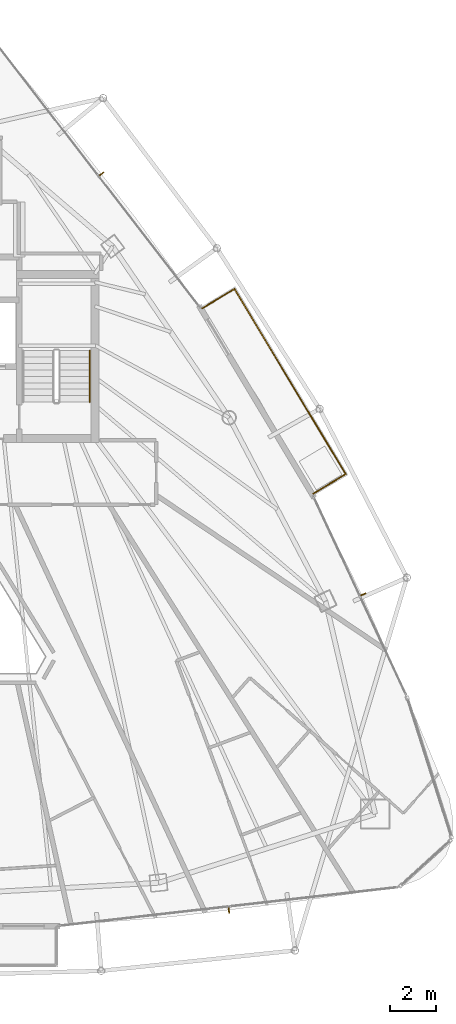
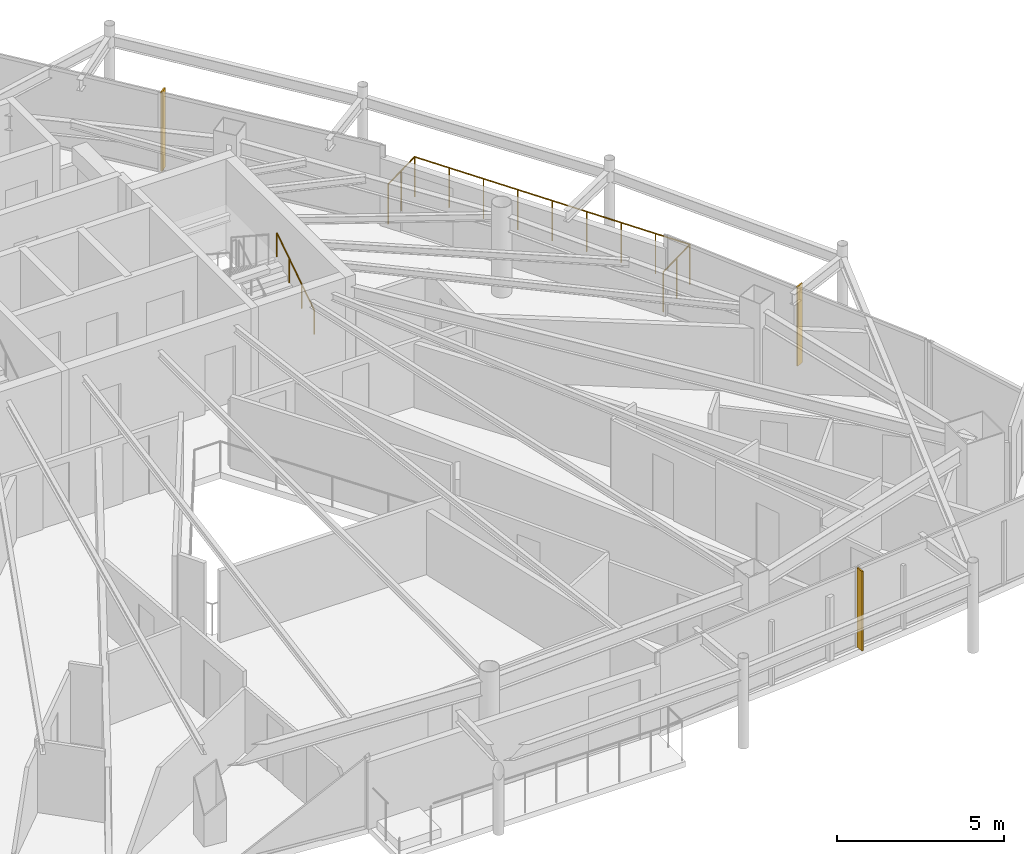
# One storey, part 29 of 29: 3 shading devices, 2 railings.
"""IFC4 building model written with IfcOpenShell, lengths in metres."""

from ifc_helpers import new_model, si_unit, direction, frame, origin, origin_2d, place, context, subcontext, project, spatial, rectangle, circle, extrude, material, layer, layer_set, type_object, element, save


model = new_model("IFC4")

# Units and contexts
model_context = context("Model", 3, precision=1e-05, world=origin(), true_north=direction((0.0, 1.0)))
body_context = subcontext(model_context, "Body", "Model", "MODEL_VIEW")
ifc_project = project(units=[si_unit("LENGTHUNIT", "METRE"), si_unit("AREAUNIT", "SQUARE_METRE"), si_unit("VOLUMEUNIT", "CUBIC_METRE"), si_unit("PLANEANGLEUNIT", "RADIAN"), si_unit("MASSUNIT", "GRAM", prefix="KILO")], contexts=[model_context])

# Site, building, storey
site_placement = place(None, origin())
site = spatial("IfcSite", under=ifc_project, at=site_placement, CompositionType="ELEMENT")
building_placement = place(site_placement, origin())
building = spatial("IfcBuilding", under=site, at=building_placement, Name="Orvanel Arch Residences", CompositionType="ELEMENT")
storey_placement = place(building_placement, frame((0.0, 0.0, 253.550048828125)))
storey = spatial("IfcBuildingStorey", under=building, at=storey_placement, Name="L72", CompositionType="ELEMENT", Elevation=253.550048828125)

# Shading devices
ifc_material_1 = material(Name="Bronze-anodised aluminium AA6063-T6", Category="aluminium")
ifc_layer = layer(ifc_material_1, 0.050048828125)
ifc_layer_set = layer_set([ifc_layer], Name="Bronze-anodised aluminium AA6063-T6")
shading_device_type = type_object("IfcShadingDeviceType", Name="FIN-BRZ-260", PredefinedType="USERDEFINED", material=ifc_layer_set)
for number, where, z_axis, x_axis, name in (
    (1, (45.419921875, 6.1640625, 0.0), (0.0, 0.0, 1.0), (0.113203213768, -0.993571855677, 0.0), "L72 Anodised Bronze Mullion FIN 01"),
    (2, (51.27392578125, 19.93310546875, 0.0), (0.0, 0.0, 1.0), (0.906307787037, 0.422618261741, 0.0), "L72 Anodised Bronze Mullion FIN 01"),
    (3, (39.866943359375, 38.26806640625, 0.0), (0.0, 0.0, 1.0), (0.791223532967, 0.611527040186, 0.0), "L72 Anodised Bronze Mullion FIN 01"),
):
    element("IfcShadingDevice", number, at=place(storey_placement, frame(where, z_axis=z_axis, x_axis=x_axis)), inside=storey, type_object=shading_device_type, Name=name, ObjectType="FIN", PredefinedType="USERDEFINED", context=body_context, shape_type="SweptSolid", body=[
        extrude(rectangle(XDim=0.260009765625, YDim=0.050048828125, at=origin_2d()), origin(), (0.0, 0.0, 1.0), 2.89990234375),
    ])

# Railings
railing_type_1 = type_object("IfcRailingType", Name="RL-BAL-1480", PredefinedType="BALUSTRADE", material=ifc_material_1)
railing_1_placement = place(storey_placement, frame((49.10595703125, 24.330078125, 0.0)))
element("IfcRailing", 4, at=railing_1_placement, inside=storey, type_object=railing_type_1, Name="L72 Balcony Perimeter Guardrail Face 3", PredefinedType="BALUSTRADE", context=body_context, shape_type="SweptSolid", body=[
    extrude(circle(Radius=0.02392578125, at=origin_2d()), frame((0.001220703125, 0.000732421875, 1.4560546875), z_axis=(0.857545439568, 0.514408222208, 0.0), x_axis=(-0.514408222208, 0.857545439568, 0.0)), (0.0, 0.0, 1.0), 1.6376953125),
    extrude(circle(Radius=0.02392578125, at=origin_2d()), frame((1.40625, 0.84521484375, 1.4560546875), z_axis=(-0.514343319019, 0.857584369133, 0.0), x_axis=(-0.857584369133, -0.514343319019, 0.0)), (0.0, 0.0, 1.0), 9.418701171875),
    extrude(circle(Radius=0.02392578125, at=origin_2d()), frame((-3.440185546875, 8.923095703125, 1.4560546875), z_axis=(-0.857387817543, -0.514670895164, 0.0), x_axis=(0.514670895164, -0.857387817543, 0.0)), (0.0, 0.0, 1.0), 1.636962890625),
    extrude(circle(Radius=0.02099609375, at=origin_2d()), origin(), (0.0, 0.0, 1.0), 1.429931640625),
    extrude(circle(Radius=0.02099609375, at=origin_2d()), frame((0.70361328125, 0.421875, 0.0)), (0.0, 0.0, 1.0), 1.429931640625),
    extrude(circle(Radius=0.02099609375, at=origin_2d()), frame((1.406982421875, 0.843994140625, 0.0)), (0.0, 0.0, 1.0), 1.429931640625),
    extrude(circle(Radius=0.02099609375, at=origin_2d()), frame((0.80126953125, 1.85400390625, 0.0)), (0.0, 0.0, 1.0), 1.429931640625),
    extrude(circle(Radius=0.02099609375, at=origin_2d()), frame((0.195556640625, 2.864013671875, 0.0)), (0.0, 0.0, 1.0), 1.429931640625),
    extrude(circle(Radius=0.02099609375, at=origin_2d()), frame((-0.41015625, 3.8740234375, 0.0)), (0.0, 0.0, 1.0), 1.429931640625),
    extrude(circle(Radius=0.02099609375, at=origin_2d()), frame((-1.01611328125, 4.8837890625, 0.0)), (0.0, 0.0, 1.0), 1.429931640625),
    extrude(circle(Radius=0.02099609375, at=origin_2d()), frame((-1.621826171875, 5.893798828125, 0.0)), (0.0, 0.0, 1.0), 1.429931640625),
    extrude(circle(Radius=0.02099609375, at=origin_2d()), frame((-2.2275390625, 6.90380859375, 0.0)), (0.0, 0.0, 1.0), 1.429931640625),
    extrude(circle(Radius=0.02099609375, at=origin_2d()), frame((-2.833251953125, 7.913818359375, 0.0)), (0.0, 0.0, 1.0), 1.429931640625),
    extrude(circle(Radius=0.02099609375, at=origin_2d()), frame((-3.43896484375, 8.923828125, 0.0)), (0.0, 0.0, 1.0), 1.429931640625),
    extrude(circle(Radius=0.02099609375, at=origin_2d()), frame((-4.14208984375, 8.501953125, 0.0)), (0.0, 0.0, 1.0), 1.429931640625),
    extrude(circle(Radius=0.02099609375, at=origin_2d()), frame((-4.844970703125, 8.079833984375, 0.0)), (0.0, 0.0, 1.0), 1.429931640625),
])
ifc_material_2 = material(Name="Structural steel AS/NZS 1163 C350L0 (Grade 350)", Category="steel")
railing_type_2 = type_object("IfcRailingType", Name="RL-STAIR-HAND", PredefinedType="HANDRAIL", material=ifc_material_2)
railing_2_placement = place(storey_placement, frame((39.35009765625, 28.320068359375, 0.183349609375)))
element("IfcRailing", 5, at=railing_2_placement, inside=storey, type_object=railing_type_2, Name="L72 ST-2 stair handrail 1", PredefinedType="HANDRAIL", context=body_context, shape_type="SweptSolid", body=[
    extrude(circle(Radius=0.02392578125, at=origin_2d()), frame((0.0, 0.001220703125, 0.876708984375), z_axis=(0.0, 0.836636935527, 0.547757827979), x_axis=(-1.0, 0.0, 0.0)), (0.0, 0.0, 1.0), 2.67431640625),
    extrude(circle(Radius=0.02099609375, at=origin_2d()), origin(), (0.0, 0.0, 1.0), 0.849853515625),
    extrude(circle(Radius=0.02099609375, at=origin_2d()), frame((0.0, 0.74658203125, 0.48876953125)), (0.0, 0.0, 1.0), 0.849853515625),
    extrude(circle(Radius=0.02099609375, at=origin_2d()), frame((0.0, 1.493408203125, 0.977783203125)), (0.0, 0.0, 1.0), 0.849853515625),
    extrude(circle(Radius=0.02099609375, at=origin_2d()), frame((0.0, 2.239990234375, 1.466552734375)), (0.0, 0.0, 1.0), 0.849853515625),
])

save(model, "model.ifc")
